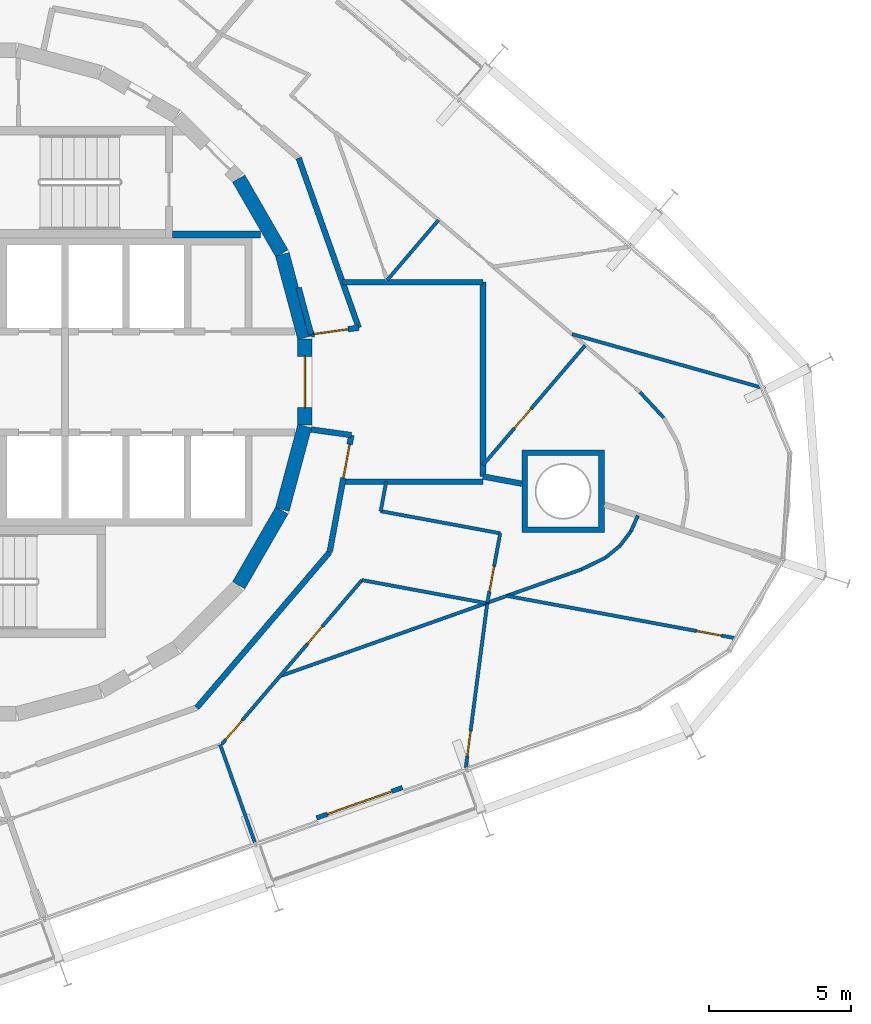
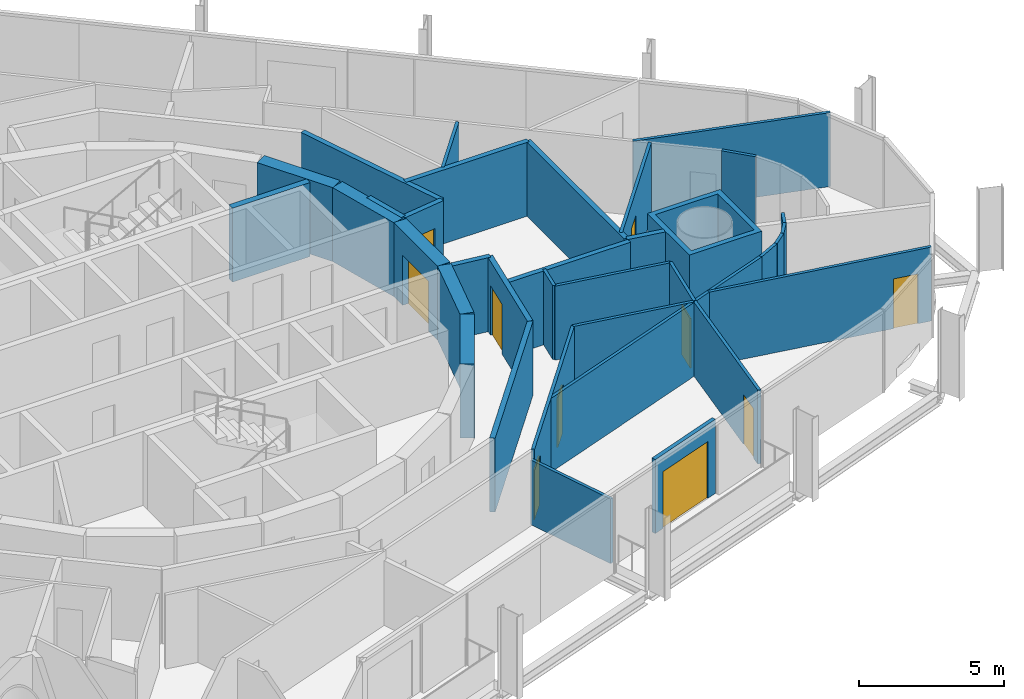
# One storey, part 13 of 17: 35 walls, 10 doors, 10 openings.
"""IFC4 building model written with IfcOpenShell, lengths in metres."""

from ifc_helpers import new_model, si_unit, direction, frame, frame_2d, origin, place, context, subcontext, project, spatial, polyline, rectangle, outline, extrude, material, layer, layer_set, type_object, element, fill, save


model = new_model("IFC4")

# Units and contexts
model_context = context("Model", 3, precision=1e-05, world=origin(), true_north=direction((0.0, 1.0)))
body_context = subcontext(model_context, "Body", "Model", "MODEL_VIEW")
ifc_project = project(units=[si_unit("LENGTHUNIT", "METRE"), si_unit("AREAUNIT", "SQUARE_METRE"), si_unit("VOLUMEUNIT", "CUBIC_METRE"), si_unit("PLANEANGLEUNIT", "RADIAN"), si_unit("MASSUNIT", "GRAM", prefix="KILO")], contexts=[model_context])

# Site, building, storey
site_placement = place(None, origin())
site = spatial("IfcSite", under=ifc_project, at=site_placement, CompositionType="ELEMENT")
building_placement = place(site_placement, origin())
building = spatial("IfcBuilding", under=site, at=building_placement, Name="Spindle Arch Residences", CompositionType="ELEMENT")
storey_placement = place(building_placement, frame((0.0, 0.0, 172.699951171875)))
storey = spatial("IfcBuildingStorey", under=building, at=storey_placement, Name="L43", CompositionType="ELEMENT", Elevation=172.699951171875)

# Walls
ifc_material_1 = material(Name="Concrete C50/60", Category="concrete")
ifc_layer_1 = layer(ifc_material_1, 0.5)
ifc_layer_set_1 = layer_set([ifc_layer_1], Name="Core outline wall 500")
wall_type_1 = type_object("IfcWallType", Name="Core outline wall 500", PredefinedType="SHEAR", material=ifc_layer_set_1)
for number, where, z_axis, x_axis, name in (
    (1, (9.32861328125, -7.13671875, 0.0), (0.0, 0.0, 1.0), (0.500087131594, 0.865975092491, 0.0), "Core outline wall 4"),
    (2, (10.858154296875, -4.479248046875, 0.0), (0.0, 0.0, 1.0), (0.258734743916, 0.965948410781, 0.0), "Core outline wall 5"),
):
    element("IfcWall", number, at=place(storey_placement, frame(where, z_axis=z_axis, x_axis=x_axis)), inside=storey, type_object=wall_type_1, Name=name, PredefinedType="SHEAR", context=body_context, shape_type="SweptSolid", body=[
        extrude(rectangle(XDim=3.03271484375, YDim=0.5, at=frame_2d((1.516357421875, 0.0))), origin(), (0.0, 0.0, 1.0), 3.1201171875),
    ])

# Wall, opening, door
wall_1_placement = place(storey_placement, frame((11.647216796875, -1.516357421875, 0.0), z_axis=(0.0, 0.0, 1.0), x_axis=(0.0, 1.0, 0.0)))
wall_1 = element("IfcWall", 3, at=wall_1_placement, inside=storey, type_object=wall_type_1, Name="Core outline wall 6", PredefinedType="SHEAR", context=body_context, shape_type="SweptSolid", body=[
    extrude(rectangle(XDim=3.03271484375, YDim=0.5, at=frame_2d((1.516357421875, 0.0))), origin(), (0.0, 0.0, 1.0), 3.1201171875),
])
opening_1_placement = place(wall_1_placement, frame((0.6162109375, 0.0, 0.0)))
opening_1 = element("IfcOpeningElement", 4, at=opening_1_placement, cuts=wall_1, Name="Opening R4C0-FE01", PredefinedType="OPENING", context=body_context, shape_type="SweptSolid", body=[
    extrude(rectangle(XDim=1.800048828125, YDim=2.10009765625, at=frame_2d((0.89990234375, 1.050048828125))), frame((0.0, 0.260009765625, 0.0), z_axis=(0.0, -1.0, 0.0), x_axis=(1.0, 0.0, 0.0)), (0.0, 0.0, 1.0), 0.52001953125),
])
ifc_material_2 = material(Name="Steel, fire-resisting door", Category="steel")
door_type_1 = type_object("IfcDoorType", Name="Fire-lift lobby door 1800x2100", OperationType="DOUBLE_DOOR_SINGLE_SWING", PredefinedType="DOOR", material=ifc_material_2)
door_1_placement = place(opening_1_placement, origin())
door_1 = element("IfcDoor", 5, at=door_1_placement, inside=storey, type_object=door_type_1, Name="Fire-lift lobby door R4C0-FE01", OperationType="DOUBLE_DOOR_SINGLE_SWING", OverallHeight=2.10009765625, OverallWidth=1.800048828125, PredefinedType="DOOR", context=body_context, shape_type="SweptSolid", body=[
    extrude(rectangle(XDim=1.800048828125, YDim=2.10009765625, at=frame_2d((0.89990234375, 1.050048828125))), frame((0.0, 0.02490234375, 0.0), z_axis=(0.0, -1.0, 0.0), x_axis=(1.0, 0.0, 0.0)), (0.0, 0.0, 1.0), 0.050048828125),
])
fill(opening_1, door_1)

# Walls
for number, where, z_axis, x_axis, name in (
    (6, (11.642822265625, 1.5498046875, 0.0), (0.0, 0.0, 1.0), (-0.258734743916, 0.965948410781, 0.0), "Core outline wall 7"),
    (7, (10.84521484375, 4.510498046875, 0.0), (0.0, 0.0, 1.0), (-0.500087131594, 0.865975092491, 0.0), "Core outline wall 8"),
):
    element("IfcWall", number, at=place(storey_placement, frame(where, z_axis=z_axis, x_axis=x_axis)), inside=storey, type_object=wall_type_1, Name=name, PredefinedType="SHEAR", context=body_context, shape_type="SweptSolid", body=[
        extrude(rectangle(XDim=3.03271484375, YDim=0.5, at=frame_2d((1.516357421875, 0.0))), origin(), (0.0, 0.0, 1.0), 3.1201171875),
    ])
ifc_material_3 = material(Name="Calcium silicate block, plastered")
ifc_layer_2 = layer(ifc_material_3, 0.199951171875)
ifc_layer_set_2 = layer_set([ifc_layer_2], Name="Corridor wall 200")
wall_type_2 = type_object("IfcWallType", Name="Corridor wall 200", PredefinedType="STANDARD", material=ifc_layer_set_2)
wall_2_placement = place(storey_placement, frame((7.857666015625, -11.432861328125, 0.0), z_axis=(0.0, 0.0, 1.0), x_axis=(0.649440801937, 0.760412154545, 0.0)))
element("IfcWall", 8, at=wall_2_placement, inside=storey, type_object=wall_type_2, Name="Corridor wall R4C0-W019", PredefinedType="STANDARD", context=body_context, shape_type="SweptSolid", body=[
    extrude(rectangle(XDim=7.180908203125, YDim=0.199951171875, at=frame_2d((3.59033203125, 0.0))), origin(), (0.0, 0.0, 1.0), 3.1201171875),
])
ifc_material_4 = material(Name="Calcium silicate block, plastered")
ifc_layer_3 = layer(ifc_material_4, 0.199951171875)
ifc_layer_set_3 = layer_set([ifc_layer_3], Name="Fire-lift lobby bay wall 200")
wall_type_3 = type_object("IfcWallType", Name="Fire-lift lobby bay wall 200", PredefinedType="STANDARD", material=ifc_layer_set_3)
wall_3_placement = place(storey_placement, frame((11.8701171875, 1.668212890625, 0.0), z_axis=(0.0, 0.0, 1.0), x_axis=(-0.258836880648, 0.965921047093, 0.0)))
element("IfcWall", 9, at=wall_3_placement, inside=storey, type_object=wall_type_3, Name="Fire-lift lobby bay wall R4C0-W001", PredefinedType="STANDARD", context=body_context, shape_type="SweptSolid", body=[
    extrude(rectangle(XDim=1.695068359375, YDim=0.199951171875, at=frame_2d((0.84765625, 0.0))), origin(), (0.0, 0.0, 1.0), 3.1201171875),
])

# Wall, opening, door
wall_4_placement = place(storey_placement, frame((11.8701171875, 1.668212890625, 0.0), z_axis=(0.0, 0.0, 1.0), x_axis=(0.990270910415, 0.139152879904, 0.0)))
wall_4 = element("IfcWall", 10, at=wall_4_placement, inside=storey, type_object=wall_type_3, Name="Fire-lift lobby bay wall R4C0-W002", PredefinedType="STANDARD", context=body_context, shape_type="SweptSolid", body=[
    extrude(rectangle(XDim=1.687744140625, YDim=0.199951171875, at=frame_2d((0.84375, 0.0))), origin(), (0.0, 0.0, 1.0), 3.1201171875),
])
opening_2_placement = place(wall_4_placement, frame((0.110107421875, 0.0, 0.0)))
opening_2 = element("IfcOpeningElement", 11, at=opening_2_placement, cuts=wall_4, Name="Opening R4C0-CD01", PredefinedType="OPENING", context=body_context, shape_type="SweptSolid", body=[
    extrude(rectangle(XDim=1.199951171875, YDim=2.10009765625, at=frame_2d((0.60009765625, 1.050048828125))), frame((0.0, 0.10986328125, 0.0), z_axis=(0.0, -1.0, 0.0), x_axis=(1.0, 0.0, 0.0)), (0.0, 0.0, 1.0), 0.219970703125),
])
ifc_material_5 = material(Name="Steel, fire-resisting door", Category="steel")
door_type_2 = type_object("IfcDoorType", Name="Corridor division door 1200x2100", OperationType="NOTDEFINED", PredefinedType="DOOR", material=ifc_material_5)
door_2_placement = place(opening_2_placement, origin())
door_2 = element("IfcDoor", 12, at=door_2_placement, inside=storey, type_object=door_type_2, Name="Corridor division door R4C0-CD01", OperationType="DOUBLE_DOOR_SINGLE_SWING", OverallHeight=2.10009765625, OverallWidth=1.199951171875, PredefinedType="DOOR", context=body_context, shape_type="SweptSolid", body=[
    extrude(rectangle(XDim=1.199951171875, YDim=2.10009765625, at=frame_2d((0.60009765625, 1.050048828125))), frame((0.0, 0.02490234375, 0.0), z_axis=(0.0, -1.0, 0.0), x_axis=(1.0, 0.0, 0.0)), (0.0, 0.0, 1.0), 0.050048828125),
])
fill(opening_2, door_2)

# Wall
wall_5_placement = place(storey_placement, frame((13.54150390625, 1.903076171875, 0.0), z_axis=(0.0, 0.0, 1.0), x_axis=(-0.333808508206, 0.942640907159, 0.0)))
element("IfcWall", 13, at=wall_5_placement, inside=storey, type_object=wall_type_3, Name="Fire-lift lobby bay wall R4C0-W003", PredefinedType="STANDARD", context=body_context, shape_type="SweptSolid", body=[
    extrude(rectangle(XDim=6.31689453125, YDim=0.199951171875, at=frame_2d((3.158447265625, 0.0))), origin(), (0.0, 0.0, 1.0), 3.1201171875),
])

# Wall, opening, door
wall_6_placement = place(storey_placement, frame((12.521240234375, -5.972412109375, 0.0), z_axis=(0.0, 0.0, 1.0), x_axis=(0.182244189886, 0.983253301674, 0.0)))
wall_6 = element("IfcWall", 14, at=wall_6_placement, inside=storey, type_object=wall_type_3, Name="Fire-lift lobby bay wall R4C0-W012", PredefinedType="STANDARD", context=body_context, shape_type="SweptSolid", body=[
    extrude(rectangle(XDim=4.175537109375, YDim=0.199951171875, at=frame_2d((2.087890625, 0.0))), origin(), (0.0, 0.0, 1.0), 3.1201171875),
])
opening_3_placement = place(wall_6_placement, frame((2.64453125, 0.0, 0.0)))
opening_3 = element("IfcOpeningElement", 15, at=opening_3_placement, cuts=wall_6, Name="Opening R4C0-CD02", PredefinedType="OPENING", context=body_context, shape_type="SweptSolid", body=[
    extrude(rectangle(XDim=1.199951171875, YDim=2.10009765625, at=frame_2d((0.60009765625, 1.050048828125))), frame((0.0, 0.10986328125, 0.0), z_axis=(0.0, -1.0, 0.0), x_axis=(1.0, 0.0, 0.0)), (0.0, 0.0, 1.0), 0.219970703125),
])
door_3_placement = place(opening_3_placement, origin())
door_3 = element("IfcDoor", 16, at=door_3_placement, inside=storey, type_object=door_type_2, Name="Corridor division door R4C0-CD02", OperationType="DOUBLE_DOOR_SINGLE_SWING", OverallHeight=2.10009765625, OverallWidth=1.199951171875, PredefinedType="DOOR", context=body_context, shape_type="SweptSolid", body=[
    extrude(rectangle(XDim=1.199951171875, YDim=2.10009765625, at=frame_2d((0.60009765625, 1.050048828125))), frame((0.0, 0.02490234375, 0.0), z_axis=(0.0, -1.0, 0.0), x_axis=(1.0, 0.0, 0.0)), (0.0, 0.0, 1.0), 0.050048828125),
])
fill(opening_3, door_3)

# Walls
wall_7_placement = place(storey_placement, frame((13.2822265625, -1.86669921875, 0.0), z_axis=(0.0, 0.0, 1.0), x_axis=(-0.990265430288, 0.139191873241, 0.0)))
element("IfcWall", 17, at=wall_7_placement, inside=storey, type_object=wall_type_3, Name="Fire-lift lobby bay wall R4C0-W013", PredefinedType="STANDARD", context=body_context, shape_type="SweptSolid", body=[
    extrude(rectangle(XDim=1.426025390625, YDim=0.199951171875, at=frame_2d((0.712890625, 0.0))), origin(), (0.0, 0.0, 1.0), 3.1201171875),
])
wall_8_placement = place(storey_placement, frame((17.89990234375, 3.5, 0.0), z_axis=(0.0, 0.0, 1.0), x_axis=(-1.0, 0.0, 0.0)))
element("IfcWall", 18, at=wall_8_placement, inside=storey, type_object=wall_type_3, Name="Fire-lift lobby bay wall R4C0-W023", PredefinedType="STANDARD", context=body_context, shape_type="SweptSolid", body=[
    extrude(rectangle(XDim=4.923828125, YDim=0.199951171875, at=frame_2d((2.4619140625, 0.0))), origin(), (0.0, 0.0, 1.0), 3.1201171875),
])
wall_9_placement = place(storey_placement, frame((17.89990234375, -3.317626953125, 0.0), z_axis=(0.0, 0.0, 1.0), x_axis=(0.0, 1.0, 0.0)))
element("IfcWall", 19, at=wall_9_placement, inside=storey, type_object=wall_type_3, Name="Fire-lift lobby bay wall R4C0-W024", PredefinedType="STANDARD", context=body_context, shape_type="SweptSolid", body=[
    extrude(rectangle(XDim=6.817626953125, YDim=0.199951171875, at=frame_2d((3.40869140625, 0.0))), origin(), (0.0, 0.0, 1.0), 3.1201171875),
])
wall_10_placement = place(storey_placement, frame((12.9794921875, -3.5, 0.0), z_axis=(0.0, 0.0, 1.0), x_axis=(1.0, 0.0, 0.0)))
element("IfcWall", 20, at=wall_10_placement, inside=storey, type_object=wall_type_3, Name="Fire-lift lobby bay wall R4C0-W025", PredefinedType="STANDARD", context=body_context, shape_type="SweptSolid", body=[
    extrude(rectangle(XDim=4.92041015625, YDim=0.199951171875, at=frame_2d((2.460205078125, 0.0))), origin(), (0.0, 0.0, 1.0), 3.1201171875),
])
ifc_material_6 = material(Name="Plasterboard on steel studs", Category="steel")
ifc_layer_4 = layer(ifc_material_6, 0.1201171875)
ifc_layer_set_4 = layer_set([ifc_layer_4], Name="Flat partition 120")
wall_type_4 = type_object("IfcWallType", Name="Flat partition 120", PredefinedType="PARTITIONING", material=ifc_layer_set_4)
wall_11_placement = place(storey_placement, frame((16.340576171875, 5.681884765625, 0.0), z_axis=(0.0, 0.0, 1.0), x_axis=(-0.64946993237, -0.76038727432, 0.0)))
element("IfcWall", 21, at=wall_11_placement, inside=storey, type_object=wall_type_4, Name="Flat partition R4C0-W043", PredefinedType="PARTITIONING", context=body_context, shape_type="SweptSolid", body=[
    extrude(rectangle(XDim=2.771240234375, YDim=0.1201171875, at=frame_2d((1.3857421875, 0.0))), origin(), (0.0, 0.0, 1.0), 3.1201171875),
])

# Wall, opening, door
wall_12_placement = place(storey_placement, frame((17.89990234375, -2.91845703125, 0.0), z_axis=(0.0, 0.0, 1.0), x_axis=(0.649469887983, 0.760387312232, 0.0)))
wall_12 = element("IfcWall", 22, at=wall_12_placement, inside=storey, type_object=wall_type_4, Name="Flat partition R4C0-W044", PredefinedType="PARTITIONING", context=body_context, shape_type="SweptSolid", body=[
    extrude(rectangle(XDim=5.52685546875, YDim=0.1201171875, at=frame_2d((2.763427734375, 0.0))), origin(), (0.0, 0.0, 1.0), 3.1201171875),
])
opening_4_placement = place(wall_12_placement, frame((1.699951171875, 0.0, 0.0)))
opening_4 = element("IfcOpeningElement", 23, at=opening_4_placement, cuts=wall_12, Name="Opening R4C0-ID04", PredefinedType="OPENING", context=body_context, shape_type="SweptSolid", body=[
    extrude(rectangle(XDim=0.89990234375, YDim=2.10009765625, at=frame_2d((0.449951171875, 1.050048828125))), frame((0.0, 0.070068359375, 0.0), z_axis=(0.0, -1.0, 0.0), x_axis=(1.0, 0.0, 0.0)), (0.0, 0.0, 1.0), 0.14013671875),
])
ifc_material_7 = material(Name="Timber door set", Category="wood")
door_type_3 = type_object("IfcDoorType", Name="Room door 900x2100", OperationType="NOTDEFINED", PredefinedType="DOOR", material=ifc_material_7)
door_4_placement = place(opening_4_placement, origin())
door_4 = element("IfcDoor", 24, at=door_4_placement, inside=storey, type_object=door_type_3, Name="Room door R4C0-ID04", OperationType="SINGLE_SWING_LEFT", OverallHeight=2.10009765625, OverallWidth=0.89990234375, PredefinedType="DOOR", context=body_context, shape_type="SweptSolid", body=[
    extrude(rectangle(XDim=0.89990234375, YDim=2.10009765625, at=frame_2d((0.449951171875, 1.050048828125))), frame((0.0, 0.02490234375, 0.0), z_axis=(0.0, -1.0, 0.0), x_axis=(1.0, 0.0, 0.0)), (0.0, 0.0, 1.0), 0.050048828125),
])
fill(opening_4, door_4)

# Walls
wall_13_placement = place(storey_placement, frame((21.029052734375, 1.677490234375, 0.0), z_axis=(0.0, 0.0, 1.0), x_axis=(0.962458274539, -0.271429677396, 0.0)))
element("IfcWall", 25, at=wall_13_placement, inside=storey, type_object=wall_type_4, Name="Flat partition R4C0-W046", PredefinedType="PARTITIONING", context=body_context, shape_type="SweptSolid", body=[
    extrude(rectangle(XDim=7.037353515625, YDim=0.1201171875, at=frame_2d((3.5185546875, 0.0))), origin(), (0.0, 0.0, 1.0), 3.1201171875),
])
wall_14_placement = place(storey_placement, frame((24.24560546875, -1.2568359375, 0.0), z_axis=(0.0, 0.0, 1.0), x_axis=(-0.679840361176, 0.733360132074, 0.0)))
element("IfcWall", 26, at=wall_14_placement, inside=storey, type_object=wall_type_4, Name="Flat partition R4C0-W051", PredefinedType="PARTITIONING", context=body_context, shape_type="SweptSolid", body=[
    extrude(rectangle(XDim=1.22705078125, YDim=0.1201171875, at=frame_2d((0.613525390625, 0.0))), origin(), (0.0, 0.0, 1.0), 3.1201171875),
])

# Wall, openings, doors
wall_15_placement = place(storey_placement, frame((8.7373046875, -12.712646484375, 0.0), z_axis=(0.0, 0.0, 1.0), x_axis=(0.649427973074, 0.760423111031, 0.0)))
wall_15 = element("IfcWall", 27, at=wall_15_placement, inside=storey, type_object=wall_type_4, Name="Flat partition R4C0-W110", PredefinedType="PARTITIONING", context=body_context, shape_type="SweptSolid", body=[
    extrude(rectangle(XDim=7.57080078125, YDim=0.1201171875, at=frame_2d((3.785400390625, 0.0))), origin(), (0.0, 0.0, 1.0), 3.1201171875),
])
opening_5_placement = place(wall_15_placement, frame((0.199951171875, 0.0, 0.0)))
opening_5 = element("IfcOpeningElement", 28, at=opening_5_placement, cuts=wall_15, Name="Opening R4C0-ID28", PredefinedType="OPENING", context=body_context, shape_type="SweptSolid", body=[
    extrude(rectangle(XDim=0.89990234375, YDim=2.10009765625, at=frame_2d((0.449951171875, 1.050048828125))), frame((0.0, 0.070068359375, 0.0), z_axis=(0.0, -1.0, 0.0), x_axis=(1.0, 0.0, 0.0)), (0.0, 0.0, 1.0), 0.14013671875),
])
opening_6_placement = place(wall_15_placement, frame((4.63427734375, 0.0, 0.0)))
opening_6 = element("IfcOpeningElement", 29, at=opening_6_placement, cuts=wall_15, Name="Opening R4C0-BD06", PredefinedType="OPENING", context=body_context, shape_type="SweptSolid", body=[
    extrude(rectangle(XDim=0.800048828125, YDim=2.10009765625, at=frame_2d((0.39990234375, 1.050048828125))), frame((0.0, 0.070068359375, 0.0), z_axis=(0.0, -1.0, 0.0), x_axis=(1.0, 0.0, 0.0)), (0.0, 0.0, 1.0), 0.14013671875),
])
ifc_material_8 = material(Name="Timber door set", Category="wood")
door_type_4 = type_object("IfcDoorType", Name="Bathroom door 800x2100", OperationType="NOTDEFINED", PredefinedType="DOOR", material=ifc_material_8)
door_5_placement = place(opening_6_placement, origin())
door_5 = element("IfcDoor", 30, at=door_5_placement, inside=storey, type_object=door_type_4, Name="Bathroom door R4C0-BD06", OperationType="SINGLE_SWING_RIGHT", OverallHeight=2.10009765625, OverallWidth=0.800048828125, PredefinedType="DOOR", context=body_context, shape_type="SweptSolid", body=[
    extrude(rectangle(XDim=0.800048828125, YDim=2.10009765625, at=frame_2d((0.39990234375, 1.050048828125))), frame((0.0, 0.02490234375, 0.0), z_axis=(0.0, -1.0, 0.0), x_axis=(1.0, 0.0, 0.0)), (0.0, 0.0, 1.0), 0.050048828125),
])
fill(opening_6, door_5)
door_6_placement = place(opening_5_placement, origin())
door_6 = element("IfcDoor", 31, at=door_6_placement, inside=storey, type_object=door_type_3, Name="Room door R4C0-ID28", OperationType="SINGLE_SWING_RIGHT", OverallHeight=2.10009765625, OverallWidth=0.89990234375, PredefinedType="DOOR", context=body_context, shape_type="SweptSolid", body=[
    extrude(rectangle(XDim=0.89990234375, YDim=2.10009765625, at=frame_2d((0.449951171875, 1.050048828125))), frame((0.0, 0.02490234375, 0.0), z_axis=(0.0, -1.0, 0.0), x_axis=(1.0, 0.0, 0.0)), (0.0, 0.0, 1.0), 0.050048828125),
])
fill(opening_5, door_6)

# Wall
wall_16_placement = place(storey_placement, frame((13.654052734375, -6.95556640625, 0.0), z_axis=(0.0, 0.0, 1.0), x_axis=(0.983253166233, -0.18224492062, 0.0)))
element("IfcWall", 32, at=wall_16_placement, inside=storey, type_object=wall_type_4, Name="Flat partition R4C0-W111", PredefinedType="PARTITIONING", context=body_context, shape_type="SweptSolid", body=[
    extrude(rectangle(XDim=4.436767578125, YDim=0.1201171875, at=frame_2d((2.21826171875, 0.0))), origin(), (0.0, 0.0, 1.0), 3.1201171875),
])

# Wall, opening, door
wall_17_placement = place(storey_placement, frame((18.055419921875, -7.75048828125, 0.0), z_axis=(0.0, 0.0, 1.0), x_axis=(0.18225497314, 0.983251302957, 0.0)))
wall_17 = element("IfcWall", 33, at=wall_17_placement, inside=storey, type_object=wall_type_4, Name="Flat partition R4C0-W112", PredefinedType="PARTITIONING", context=body_context, shape_type="SweptSolid", body=[
    extrude(rectangle(XDim=2.4794921875, YDim=0.1201171875, at=frame_2d((1.23974609375, 0.0))), origin(), (0.0, 0.0, 1.0), 3.1201171875),
])
opening_7_placement = place(wall_17_placement, frame((0.39990234375, 0.0, 0.0)))
opening_7 = element("IfcOpeningElement", 34, at=opening_7_placement, cuts=wall_17, Name="Opening R4C0-ID29", PredefinedType="OPENING", context=body_context, shape_type="SweptSolid", body=[
    extrude(rectangle(XDim=0.89990234375, YDim=2.10009765625, at=frame_2d((0.449951171875, 1.050048828125))), frame((0.0, 0.070068359375, 0.0), z_axis=(0.0, -1.0, 0.0), x_axis=(1.0, 0.0, 0.0)), (0.0, 0.0, 1.0), 0.14013671875),
])
door_7_placement = place(opening_7_placement, origin())
door_7 = element("IfcDoor", 35, at=door_7_placement, inside=storey, type_object=door_type_3, Name="Room door R4C0-ID29", OperationType="SINGLE_SWING_RIGHT", OverallHeight=2.10009765625, OverallWidth=0.89990234375, PredefinedType="DOOR", context=body_context, shape_type="SweptSolid", body=[
    extrude(rectangle(XDim=0.89990234375, YDim=2.10009765625, at=frame_2d((0.449951171875, 1.050048828125))), frame((0.0, 0.02490234375, 0.0), z_axis=(0.0, -1.0, 0.0), x_axis=(1.0, 0.0, 0.0)), (0.0, 0.0, 1.0), 0.050048828125),
])
fill(opening_7, door_7)

# Walls
wall_18_placement = place(storey_placement, frame((18.50732421875, -5.3125, 0.0), z_axis=(0.0, 0.0, 1.0), x_axis=(-0.983254286603, 0.182238875868, 0.0)))
element("IfcWall", 36, at=wall_18_placement, inside=storey, type_object=wall_type_4, Name="Flat partition R4C0-W113", PredefinedType="PARTITIONING", context=body_context, shape_type="SweptSolid", body=[
    extrude(rectangle(XDim=4.265625, YDim=0.1201171875, at=frame_2d((2.1328125, 0.0))), origin(), (0.0, 0.0, 1.0), 3.1201171875),
])
wall_19_placement = place(storey_placement, frame((14.313232421875, -4.53515625, 0.0), z_axis=(0.0, 0.0, 1.0), x_axis=(0.182271946033, 0.983248156718, 0.0)))
element("IfcWall", 37, at=wall_19_placement, inside=storey, type_object=wall_type_4, Name="Flat partition R4C0-W114", PredefinedType="PARTITIONING", context=body_context, shape_type="SweptSolid", body=[
    extrude(rectangle(XDim=1.052734375, YDim=0.1201171875, at=frame_2d((0.5263671875, 0.0))), origin(), (0.0, 0.0, 1.0), 3.1201171875),
])
wall_20_placement = place(storey_placement, frame((21.3623046875, -6.57958984375, 0.0), z_axis=(0.0, 0.0, 1.0), x_axis=(-0.942647598157, -0.333789612913, 0.0)))
element("IfcWall", 38, at=wall_20_placement, inside=storey, type_object=wall_type_4, Name="Flat partition R4C0-W116", PredefinedType="PARTITIONING", context=body_context, shape_type="SweptSolid", body=[
    extrude(rectangle(XDim=11.23388671875, YDim=0.1201171875, at=frame_2d((5.616943359375, 0.0))), origin(), (0.0, 0.0, 1.0), 3.1201171875),
])

# Wall, opening, door
wall_21_placement = place(storey_placement, frame((17.30029296875, -13.5341796875, 0.0), z_axis=(0.0, 0.0, 1.0), x_axis=(0.129290698847, 0.99160673414, 0.0)))
wall_21 = element("IfcWall", 39, at=wall_21_placement, inside=storey, type_object=wall_type_4, Name="Flat partition R4C0-W117", PredefinedType="PARTITIONING", context=body_context, shape_type="SweptSolid", body=[
    extrude(rectangle(XDim=5.812255859375, YDim=0.1201171875, at=frame_2d((2.90625, 0.0))), origin(), (0.0, 0.0, 1.0), 3.1201171875),
])
opening_8_placement = place(wall_21_placement, frame((0.39990234375, 0.0, 0.0)))
opening_8 = element("IfcOpeningElement", 40, at=opening_8_placement, cuts=wall_21, Name="Opening R4C0-ID30", PredefinedType="OPENING", context=body_context, shape_type="SweptSolid", body=[
    extrude(rectangle(XDim=0.89990234375, YDim=2.10009765625, at=frame_2d((0.449951171875, 1.050048828125))), frame((0.0, 0.070068359375, 0.0), z_axis=(0.0, -1.0, 0.0), x_axis=(1.0, 0.0, 0.0)), (0.0, 0.0, 1.0), 0.14013671875),
])
door_8_placement = place(opening_8_placement, origin())
door_8 = element("IfcDoor", 41, at=door_8_placement, inside=storey, type_object=door_type_3, Name="Room door R4C0-ID30", OperationType="SINGLE_SWING_RIGHT", OverallHeight=2.10009765625, OverallWidth=0.89990234375, PredefinedType="DOOR", context=body_context, shape_type="SweptSolid", body=[
    extrude(rectangle(XDim=0.89990234375, YDim=2.10009765625, at=frame_2d((0.449951171875, 1.050048828125))), frame((0.0, 0.02490234375, 0.0), z_axis=(0.0, -1.0, 0.0), x_axis=(1.0, 0.0, 0.0)), (0.0, 0.0, 1.0), 0.050048828125),
])
fill(opening_8, door_8)

wall_22_placement = place(storey_placement, frame((26.774169921875, -8.99658203125, 0.0), z_axis=(0.0, 0.0, 1.0), x_axis=(-0.983258019748, 0.18221873285, 0.0)))
wall_22 = element("IfcWall", 42, at=wall_22_placement, inside=storey, type_object=wall_type_4, Name="Flat partition R4C0-W118", PredefinedType="PARTITIONING", context=body_context, shape_type="SweptSolid", body=[
    extrude(rectangle(XDim=8.170166015625, YDim=0.1201171875, at=frame_2d((4.0849609375, 0.0))), origin(), (0.0, 0.0, 1.0), 3.1201171875),
])
opening_9_placement = place(wall_22_placement, frame((0.5, 0.0, 0.0)))
opening_9 = element("IfcOpeningElement", 43, at=opening_9_placement, cuts=wall_22, Name="Opening R4C0-ID31", PredefinedType="OPENING", context=body_context, shape_type="SweptSolid", body=[
    extrude(rectangle(XDim=0.89990234375, YDim=2.10009765625, at=frame_2d((0.449951171875, 1.050048828125))), frame((0.0, 0.070068359375, 0.0), z_axis=(0.0, -1.0, 0.0), x_axis=(1.0, 0.0, 0.0)), (0.0, 0.0, 1.0), 0.14013671875),
])
door_9_placement = place(opening_9_placement, origin())
door_9 = element("IfcDoor", 44, at=door_9_placement, inside=storey, type_object=door_type_3, Name="Room door R4C0-ID31", OperationType="SINGLE_SWING_RIGHT", OverallHeight=2.10009765625, OverallWidth=0.89990234375, PredefinedType="DOOR", context=body_context, shape_type="SweptSolid", body=[
    extrude(rectangle(XDim=0.89990234375, YDim=2.10009765625, at=frame_2d((0.449951171875, 1.050048828125))), frame((0.0, 0.02490234375, 0.0), z_axis=(0.0, -1.0, 0.0), x_axis=(1.0, 0.0, 0.0)), (0.0, 0.0, 1.0), 0.050048828125),
])
fill(opening_9, door_9)

# Walls
wall_23_placement = place(storey_placement, frame((23.339599609375, -4.68896484375, 0.0), z_axis=(0.0, 0.0, 1.0), x_axis=(-0.404077449371, -0.914724775498, 0.0)))
element("IfcWall", 45, at=wall_23_placement, inside=storey, type_object=wall_type_4, Name="Flat partition R4C0-W119", PredefinedType="PARTITIONING", context=body_context, shape_type="SweptSolid", body=[
    extrude(rectangle(XDim=0.604736328125, YDim=0.1201171875, at=frame_2d((0.30224609375, 0.0))), origin(), (0.0, 0.0, 1.0), 3.1201171875),
])
for number, where, z_axis, x_axis, name in (
    (46, (23.09521484375, -5.2421875, 0.0), (0.0, 0.0, 1.0), (-0.60407005845, -0.796931216909, 0.0), "Flat partition R4C0-W120"),
    (47, (22.70751953125, -5.753662109375, 0.0), (0.0, 0.0, 1.0), (-0.771732572541, -0.635947196298, 0.0), "Flat partition R4C0-W121"),
):
    element("IfcWall", number, at=place(storey_placement, frame(where, z_axis=z_axis, x_axis=x_axis)), inside=storey, type_object=wall_type_4, Name=name, PredefinedType="PARTITIONING", context=body_context, shape_type="SweptSolid", body=[
        extrude(rectangle(XDim=0.641845703125, YDim=0.1201171875, at=frame_2d((0.32080078125, 0.0))), origin(), (0.0, 0.0, 1.0), 3.1201171875),
    ])
wall_24_placement = place(storey_placement, frame((22.212158203125, -6.161865234375, 0.0), z_axis=(0.0, 0.0, 1.0), x_axis=(-0.897448694974, -0.441118850072, 0.0)))
element("IfcWall", 48, at=wall_24_placement, inside=storey, type_object=wall_type_4, Name="Flat partition R4C0-W122", PredefinedType="PARTITIONING", context=body_context, shape_type="SweptSolid", body=[
    extrude(rectangle(XDim=0.947021484375, YDim=0.1201171875, at=frame_2d((0.4736328125, 0.0))), origin(), (0.0, 0.0, 1.0), 3.1201171875),
])
ifc_material_9 = material(Name="Plasterboard on steel studs", Category="steel")
ifc_layer_5 = layer(ifc_material_9, 0.1201171875)
ifc_layer_set_5 = layer_set([ifc_layer_5], Name="Flat partition 120 under beam 2730")
wall_type_5 = type_object("IfcWallType", Name="Flat partition 120 under beam 2730", PredefinedType="PARTITIONING", material=ifc_layer_set_5)
wall_25_placement = place(storey_placement, frame((9.89111328125, -16.157958984375, 0.0), z_axis=(0.0, 0.0, 1.0), x_axis=(-0.33385336213, 0.942625022262, 0.0)))
element("IfcWall", 49, at=wall_25_placement, inside=storey, type_object=wall_type_5, Name="Flat partition R4C0-W115", PredefinedType="PARTITIONING", context=body_context, shape_type="SweptSolid", body=[
    extrude(rectangle(XDim=3.633056640625, YDim=0.1201171875, at=frame_2d((1.81640625, 0.0))), origin(), (0.0, 0.0, 1.0), 2.72998046875),
])
ifc_material_10 = material(Name="Calcium silicate block, plastered")
ifc_layer_6 = layer(ifc_material_10, 0.199951171875)
ifc_layer_set_6 = layer_set([ifc_layer_6], Name="Flat party wall 200")
wall_type_6 = type_object("IfcWallType", Name="Flat party wall 200", PredefinedType="STANDARD", material=ifc_layer_set_6)
wall_26_placement = place(storey_placement, frame((17.89990234375, -3.317626953125, 0.0), z_axis=(0.0, 0.0, 1.0), x_axis=(0.983252800712, -0.182246892682, 0.0)))
element("IfcWall", 50, at=wall_26_placement, inside=storey, type_object=wall_type_6, Name="Flat party wall R4C0-W028", PredefinedType="STANDARD", context=body_context, shape_type="SweptSolid", body=[
    extrude(rectangle(XDim=1.386474609375, YDim=0.199951171875, at=frame_2d((0.693359375, 0.0))), origin(), (0.0, 0.0, 1.0), 3.1201171875),
])

# Wall, opening, door
ifc_material_11 = material(Name="Non-combustible mineral wool insulated aluminium faced external wall (K0)", Category="aluminium")
ifc_layer_7 = layer(ifc_material_11, 0.159912109375)
ifc_layer_set_7 = layer_set([ifc_layer_7], Name="Insulated external wall panel 160")
wall_type_7 = type_object("IfcWallType", Name="Insulated external wall panel 160", PredefinedType="STANDARD", material=ifc_layer_set_7)
wall_27_placement = place(storey_placement, frame((12.060791015625, -15.304931640625, 0.0), z_axis=(0.0, 0.0, 1.0), x_axis=(0.942620722428, 0.333865502335, 0.0)))
wall_27 = element("IfcWall", 51, at=wall_27_placement, inside=storey, type_object=wall_type_7, Name="External wall L43 bay 1", PredefinedType="STANDARD", context=body_context, shape_type="SweptSolid", body=[
    extrude(rectangle(XDim=3.199951171875, YDim=0.159912109375, at=frame_2d((1.60009765625, 0.0))), origin(), (0.0, 0.0, 1.0), 3.1201171875),
])
opening_10_placement = place(wall_27_placement, frame((0.39990234375, 0.0, 0.0)))
opening_10 = element("IfcOpeningElement", 52, at=opening_10_placement, cuts=wall_27, Name="Opening BD01", PredefinedType="OPENING", context=body_context, shape_type="SweptSolid", body=[
    extrude(rectangle(XDim=2.39990234375, YDim=2.39990234375, at=frame_2d((1.199951171875, 1.199951171875))), frame((0.0, 0.08984375, 0.0), z_axis=(0.0, -1.0, 0.0), x_axis=(1.0, 0.0, 0.0)), (0.0, 0.0, 1.0), 0.179931640625),
])
ifc_material_12 = material(Name="Bronze aluminium frame, tinted double glazing", Category="aluminium")
door_type_5 = type_object("IfcDoorType", Name="Sliding glazed balcony door 2400x2400", OperationType="DOUBLE_DOOR_SLIDING", PredefinedType="DOOR", material=ifc_material_12)
door_10_placement = place(opening_10_placement, origin())
door_10 = element("IfcDoor", 53, at=door_10_placement, inside=storey, type_object=door_type_5, Name="Balcony door BD01", OperationType="DOUBLE_DOOR_SLIDING", OverallHeight=2.39990234375, OverallWidth=2.39990234375, PredefinedType="DOOR", context=body_context, shape_type="SweptSolid", body=[
    extrude(rectangle(XDim=2.39990234375, YDim=2.39990234375, at=frame_2d((1.199951171875, 1.199951171875))), frame((0.0, 0.02490234375, 0.0), z_axis=(0.0, -1.0, 0.0), x_axis=(1.0, 0.0, 0.0)), (0.0, 0.0, 1.0), 0.050048828125),
])
fill(opening_10, door_10)

# Walls
ifc_material_13 = material(Name="Calcium silicate block, plastered")
ifc_layer_8 = layer(ifc_material_13, 0.199951171875)
ifc_layer_set_8 = layer_set([ifc_layer_8], Name="Mega-column casing wall 200")
wall_type_8 = type_object("IfcWallType", Name="Mega-column casing wall 200", PredefinedType="STANDARD", material=ifc_layer_set_8)
wall_28_placement = place(storey_placement, origin())
element("IfcWall", 54, at=wall_28_placement, inside=storey, type_object=wall_type_8, Name="Mega-column casing wall R4C0-WC03", PredefinedType="STANDARD", context=body_context, shape_type="SweptSolid", body=[
    extrude(outline(polyline([(22.1630859375, -2.388916015625), (22.1630859375, -5.2890625), (19.26318359375, -5.2890625), (19.26318359375, -2.388916015625), (22.1630859375, -2.388916015625)]), holes=[polyline([(19.463134765625, -5.089111328125), (21.963134765625, -5.089111328125), (21.963134765625, -2.589111328125), (19.463134765625, -2.589111328125), (19.463134765625, -5.089111328125)])]), origin(), (0.0, 0.0, 1.0), 3.1201171875),
])
ifc_material_14 = material(Name="Concrete C40/50", Category="concrete")
ifc_layer_9 = layer(ifc_material_14, 0.25)
ifc_layer_set_9 = layer_set([ifc_layer_9], Name="Stair airlock wall 250")
wall_type_9 = type_object("IfcWallType", Name="Stair airlock wall 250", PredefinedType="SHEAR", material=ifc_layer_set_9)
wall_29_placement = place(storey_placement, frame((7.0, 5.175048828125, 0.0), z_axis=(0.0, 0.0, 1.0), x_axis=(1.0, 0.0, 0.0)))
element("IfcWall", 55, at=wall_29_placement, inside=storey, type_object=wall_type_9, Name="Stair ST-1 airlock wall S", PredefinedType="SHEAR", context=body_context, shape_type="SweptSolid", body=[
    extrude(rectangle(XDim=3.10009765625, YDim=0.25, at=frame_2d((1.550048828125, 0.0))), origin(), (0.0, 0.0, 1.0), 3.1201171875),
])

save(model, "model.ifc")
